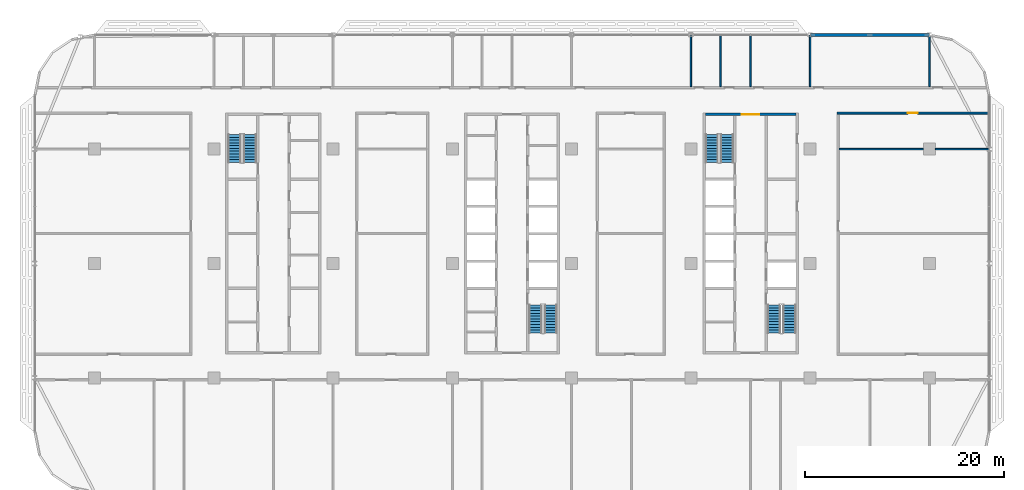
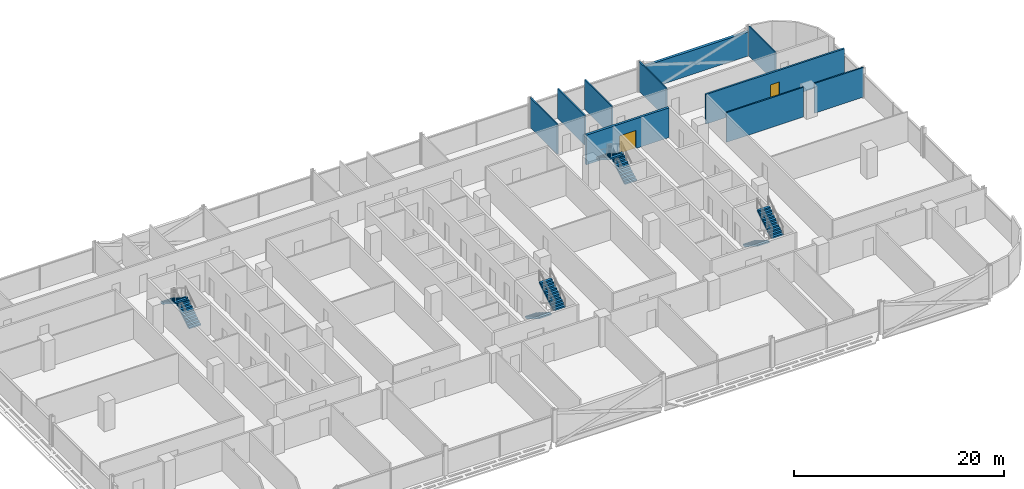
# One storey, part 16 of 27: 10 walls, 8 stair flights, 2 doors, 2 openings, 4 elements without a shape of their own.
"""IFC4 building model written with IfcOpenShell, lengths in metres."""

from ifc_helpers import new_model, si_unit, direction, frame, frame_2d, origin, place, context, subcontext, project, spatial, polyline, rectangle, outline, extrude, material, layer, layer_set, type_object, element, fill, aggregate, save


model = new_model("IFC4")

# Units and contexts
model_context = context("Model", 3, precision=1e-05, world=origin(), true_north=direction((0.0, 1.0)))
body_context = subcontext(model_context, "Body", "Model", "MODEL_VIEW")
ifc_project = project(units=[si_unit("LENGTHUNIT", "METRE"), si_unit("AREAUNIT", "SQUARE_METRE"), si_unit("VOLUMEUNIT", "CUBIC_METRE"), si_unit("PLANEANGLEUNIT", "RADIAN"), si_unit("MASSUNIT", "GRAM", prefix="KILO")], contexts=[model_context])

# Site, building, storey
site_placement = place(None, origin())
site = spatial("IfcSite", under=ifc_project, at=site_placement, CompositionType="ELEMENT")
building_placement = place(site_placement, origin())
building = spatial("IfcBuilding", under=site, at=building_placement, Name="Mahtab Terrace Research Tower", CompositionType="ELEMENT")
storey_placement = place(building_placement, frame((0.0, 0.0, 163.0)))
storey = spatial("IfcBuildingStorey", under=building, at=storey_placement, Name="L38", CompositionType="ELEMENT", Elevation=163.0)

# Wall, opening, door
ifc_material_1 = material(Name="Concrete C70/85", Category="concrete")
ifc_layer_1 = layer(ifc_material_1, 0.25)
ifc_layer_set_1 = layer_set([ifc_layer_1], Name="Core wall 250")
wall_type_1 = type_object("IfcWallType", Name="Core wall 250", PredefinedType="SOLIDWALL", material=ifc_layer_set_1)
wall_1_placement = place(storey_placement, frame((19.449951171875, 15.0, 0.0), z_axis=(0.0, 0.0, 1.0), x_axis=(1.0, 0.0, 0.0)))
wall_1 = element("IfcWall", 1, at=wall_1_placement, inside=storey, type_object=wall_type_1, Name="Core wall C endN", PredefinedType="SOLIDWALL", context=body_context, shape_type="SweptSolid", body=[
    extrude(rectangle(XDim=9.10009765625, YDim=0.25, at=frame_2d((4.550048828125, 0.0))), origin(), (0.0, 0.0, 1.0), 3.4599609375),
])
opening_1_placement = place(wall_1_placement, frame((3.64990234375, 0.0, 0.0)))
opening_1 = element("IfcOpeningElement", 2, at=opening_1_placement, cuts=wall_1, Name="Opening C-N1", PredefinedType="OPENING", context=body_context, shape_type="SweptSolid", body=[
    extrude(rectangle(XDim=1.800048828125, YDim=2.10009765625, at=frame_2d((0.89990234375, 1.050048828125))), frame((0.0, 0.135009765625, 0.0), z_axis=(0.0, -1.0, 0.0), x_axis=(1.0, 0.0, 0.0)), (0.0, 0.0, 1.0), 0.27001953125),
])
ifc_material_2 = material(Name="Steel fire door", Category="steel")
door_type_1 = type_object("IfcDoorType", Name="Lobby double door 1800x2100 1 HR", OperationType="DOUBLE_DOOR_SINGLE_SWING", PredefinedType="DOOR", material=ifc_material_2)
door_1_placement = place(opening_1_placement, origin())
door_1 = element("IfcDoor", 3, at=door_1_placement, inside=storey, type_object=door_type_1, Name="Core entrance door C N", OperationType="DOUBLE_DOOR_SINGLE_SWING", OverallHeight=2.10009765625, OverallWidth=1.800048828125, PredefinedType="DOOR", context=body_context, shape_type="SweptSolid", body=[
    extrude(rectangle(XDim=1.800048828125, YDim=2.10009765625, at=frame_2d((0.89990234375, 1.050048828125))), frame((0.0, 0.02490234375, 0.0), z_axis=(0.0, -1.0, 0.0), x_axis=(1.0, 0.0, 0.0)), (0.0, 0.0, 1.0), 0.050048828125),
])
fill(opening_1, door_1)

# Wall
ifc_material_3 = material(Name="Black aluminium cladding panel", Category="aluminium")
ifc_layer_2 = layer(ifc_material_3, 0.300048828125)
ifc_layer_set_2 = layer_set([ifc_layer_2], Name="Opaque facade wall 300")
wall_type_2 = type_object("IfcWallType", Name="Opaque facade wall 300", PredefinedType="NOTDEFINED", material=ifc_layer_set_2)
wall_2_placement = place(storey_placement, frame((41.985107421875, 23.0, 0.0), z_axis=(0.0, 0.0, 1.0), x_axis=(-1.0, 0.0, 0.0)))
element("IfcWall", 4, at=wall_2_placement, inside=storey, type_object=wall_type_2, Name="Opaque facade wall L38 N3", PredefinedType="NOTDEFINED", context=body_context, shape_type="SweptSolid", body=[
    extrude(rectangle(XDim=11.97021484375, YDim=0.300048828125, at=frame_2d((5.985107421875, 0.0))), origin(), (0.0, 0.0, 1.0), 2.78173828125),
])

# Wall, opening, door
ifc_material_4 = material(Name="Gypsum board corridor wall on steel studs", Category="steel")
ifc_layer_3 = layer(ifc_material_4, 0.199951171875)
ifc_layer_set_3 = layer_set([ifc_layer_3], Name="WALL CORRIDOR 200")
wall_type_3 = type_object("IfcWallType", Name="WALL CORRIDOR 200", PredefinedType="PARTITIONING", material=ifc_layer_set_3)
wall_3_placement = place(storey_placement, frame((32.699951171875, 15.125, 0.0), z_axis=(0.0, 0.0, 1.0), x_axis=(1.0, 0.0, 0.0)))
wall_3 = element("IfcWall", 5, at=wall_3_placement, inside=storey, type_object=wall_type_3, Name="L38-W027", PredefinedType="PARTITIONING", context=body_context, shape_type="SweptSolid", body=[
    extrude(rectangle(XDim=15.275146484375, YDim=0.199951171875, at=frame_2d((7.6376953125, 0.0))), origin(), (0.0, 0.0, 1.0), 3.4599609375),
])
opening_2_placement = place(wall_3_placement, frame((7.10009765625, 0.0, 0.0)))
opening_2 = element("IfcOpeningElement", 6, at=opening_2_placement, cuts=wall_3, Name="Opening L38-125", PredefinedType="OPENING", context=body_context, shape_type="SweptSolid", body=[
    extrude(rectangle(XDim=1.0, YDim=2.10009765625, at=frame_2d((0.5, 1.050048828125))), frame((0.0, 0.10986328125, 0.0), z_axis=(0.0, -1.0, 0.0), x_axis=(1.0, 0.0, 0.0)), (0.0, 0.0, 1.0), 0.219970703125),
])
ifc_material_5 = material(Name="Timber door leaf in steel frame", Category="steel")
door_type_2 = type_object("IfcDoorType", Name="DOOR 1000X2100 FD30S", OperationType="SINGLE_SWING_LEFT", PredefinedType="DOOR", material=ifc_material_5)
door_2_placement = place(opening_2_placement, origin())
door_2 = element("IfcDoor", 7, at=door_2_placement, inside=storey, type_object=door_type_2, Name="Door L38-125", OperationType="SINGLE_SWING_LEFT", OverallHeight=2.10009765625, OverallWidth=1.0, PredefinedType="DOOR", context=body_context, shape_type="SweptSolid", body=[
    extrude(rectangle(XDim=1.0, YDim=2.10009765625, at=frame_2d((0.5, 1.050048828125))), frame((0.0, 0.02490234375, 0.0), z_axis=(0.0, -1.0, 0.0), x_axis=(1.0, 0.0, 0.0)), (0.0, 0.0, 1.0), 0.050048828125),
])
fill(opening_2, door_2)

# Walls
ifc_material_6 = material(Name="Gypsum board partition on steel studs", Category="steel")
ifc_layer_4 = layer(ifc_material_6, 0.14990234375)
ifc_layer_set_4 = layer_set([ifc_layer_4], Name="WALL PARTITION 150")
wall_type_4 = type_object("IfcWallType", Name="WALL PARTITION 150", PredefinedType="PARTITIONING", material=ifc_layer_set_4)
wall_4_placement = place(storey_placement, frame((32.89990234375, 11.5, 0.0), z_axis=(0.0, 0.0, 1.0), x_axis=(1.0, 0.0, 0.0)))
element("IfcWall", 8, at=wall_4_placement, inside=storey, type_object=wall_type_4, Name="L38-W022", PredefinedType="PARTITIONING", context=body_context, shape_type="SweptSolid", body=[
    extrude(rectangle(XDim=8.5, YDim=0.14990234375, at=frame_2d((4.25, 0.0))), origin(), (0.0, 0.0, 1.0), 3.4599609375),
])
wall_5_placement = place(storey_placement, frame((42.60009765625, 11.5, 0.0), z_axis=(0.0, 0.0, 1.0), x_axis=(1.0, 0.0, 0.0)))
element("IfcWall", 9, at=wall_5_placement, inside=storey, type_object=wall_type_4, Name="L38-W023", PredefinedType="PARTITIONING", context=body_context, shape_type="SweptSolid", body=[
    extrude(rectangle(XDim=5.375, YDim=0.14990234375, at=frame_2d((2.6875, 0.0))), origin(), (0.0, 0.0, 1.0), 3.4599609375),
])
for number, where, z_axis, x_axis, name in (
    (10, (18.0, 17.800048828125, 0.0), (0.0, 0.0, 1.0), (0.0, 1.0, 0.0), "L38-W051"),
    (11, (21.0, 17.800048828125, 0.0), (0.0, 0.0, 1.0), (0.0, 1.0, 0.0), "L38-W052"),
    (12, (24.0, 17.800048828125, 0.0), (0.0, 0.0, 1.0), (0.0, 1.0, 0.0), "L38-W054"),
    (13, (30.0, 17.800048828125, 0.0), (0.0, 0.0, 1.0), (0.0, 1.0, 0.0), "L38-W056"),
):
    element("IfcWall", number, at=place(storey_placement, frame(where, z_axis=z_axis, x_axis=x_axis)), inside=storey, type_object=wall_type_4, Name=name, PredefinedType="PARTITIONING", context=body_context, shape_type="SweptSolid", body=[
        extrude(rectangle(XDim=5.175048828125, YDim=0.14990234375, at=frame_2d((2.58740234375, 0.0))), origin(), (0.0, 0.0, 1.0), 3.4599609375),
    ])
wall_6_placement = place(storey_placement, frame((42.0, 17.800048828125, 0.0), z_axis=(0.0, 0.0, 1.0), x_axis=(0.0, 1.0, 0.0)))
element("IfcWall", 14, at=wall_6_placement, inside=storey, type_object=wall_type_4, Name="L38-W060", PredefinedType="PARTITIONING", context=body_context, shape_type="SweptSolid", body=[
    extrude(rectangle(XDim=5.047119140625, YDim=0.14990234375, at=frame_2d((2.5234375, 0.0))), origin(), (0.0, 0.0, 1.0), 3.4599609375),
])

# Stair, stair flights
ifc_material_7 = material(Name="Exit stair half-turn")
stair_type = type_object("IfcStairType", Name="Exit stair half-turn", PredefinedType="HALF_TURN_STAIR", material=ifc_material_7)
stair_1_placement = place(storey_placement, origin())
stair_1 = element("IfcStair", 15, at=stair_1_placement, inside=storey, type_object=stair_type, Name="L38 Protected exit stair ST1", PredefinedType="HALF_TURN_STAIR")
ifc_material_8 = material(Name="Concrete C40/50", Category="concrete")
stair_flight_type = type_object("IfcStairFlightType", Name="Exit stair flight 1300", PredefinedType="STRAIGHT", material=ifc_material_8)
stair_flight_1_placement = place(storey_placement, frame((-26.35009765625, 10.175048828125, 0.0), z_axis=(0.0, 0.0, 1.0), x_axis=(0.0, 1.0, 0.0)))
stair_flight_1 = element("IfcStairFlight", 16, at=stair_flight_1_placement, type_object=stair_flight_type, Name="ST1 flight 1", NumberOfRisers=11, NumberOfTreads=10, PredefinedType="STRAIGHT", RiserHeight=0.172727273, TreadLength=0.28, context=body_context, shape_type="SweptSolid", body=[
    extrude(outline(polyline([(0.0, 0.0), (0.0, 0.172607421875), (0.280029296875, 0.172607421875), (0.280029296875, 0.345458984375), (0.56005859375, 0.345458984375), (0.56005859375, 0.51806640625), (0.840087890625, 0.51806640625), (0.840087890625, 0.69091796875), (1.1201171875, 0.69091796875), (1.1201171875, 0.863525390625), (1.39990234375, 0.863525390625), (1.39990234375, 1.036376953125), (1.679931640625, 1.036376953125), (1.679931640625, 1.208984375), (1.9599609375, 1.208984375), (1.9599609375, 1.3818359375), (2.239990234375, 1.3818359375), (2.239990234375, 1.554443359375), (2.52001953125, 1.554443359375), (2.52001953125, 1.727294921875), (2.800048828125, 1.727294921875), (2.800048828125, 1.89990234375), (2.800048828125, 1.551025390625), (0.285400390625, 0.0), (0.0, 0.0)])), frame((0.0, 0.64990234375, 0.0), z_axis=(0.0, -1.0, 0.0), x_axis=(1.0, 0.0, 0.0)), (0.0, 0.0, 1.0), 1.300048828125),
])
stair_flight_2_placement = place(storey_placement, frame((-27.89990234375, 12.97509765625, 1.89990234375), z_axis=(0.0, 0.0, 1.0), x_axis=(0.0, -1.0, 0.0)))
stair_flight_2 = element("IfcStairFlight", 17, at=stair_flight_2_placement, type_object=stair_flight_type, Name="ST1 flight 2", NumberOfRisers=11, NumberOfTreads=10, PredefinedType="STRAIGHT", RiserHeight=0.172727273, TreadLength=0.28, context=body_context, shape_type="SweptSolid", body=[
    extrude(outline(polyline([(0.0, 0.0), (0.0, 0.172607421875), (0.280029296875, 0.172607421875), (0.280029296875, 0.345458984375), (0.56005859375, 0.345458984375), (0.56005859375, 0.51806640625), (0.840087890625, 0.51806640625), (0.840087890625, 0.69091796875), (1.1201171875, 0.69091796875), (1.1201171875, 0.863525390625), (1.39990234375, 0.863525390625), (1.39990234375, 1.036376953125), (1.679931640625, 1.036376953125), (1.679931640625, 1.208984375), (1.9599609375, 1.208984375), (1.9599609375, 1.3818359375), (2.239990234375, 1.3818359375), (2.239990234375, 1.554443359375), (2.52001953125, 1.554443359375), (2.52001953125, 1.727294921875), (2.800048828125, 1.727294921875), (2.800048828125, 1.89990234375), (2.800048828125, 1.551025390625), (0.285400390625, 0.0), (0.0, 0.0)])), frame((0.0, 0.64990234375, 0.0), z_axis=(0.0, -1.0, 0.0), x_axis=(1.0, 0.0, 0.0)), (0.0, 0.0, 1.0), 1.300048828125),
])
aggregate(stair_1, [stair_flight_1, stair_flight_2])

stair_2_placement = place(storey_placement, origin())
stair_2 = element("IfcStair", 18, at=stair_2_placement, inside=storey, type_object=stair_type, Name="L38 Protected exit stair ST2", PredefinedType="HALF_TURN_STAIR")
stair_flight_3_placement = place(storey_placement, frame((2.35009765625, -4.175048828125, 0.0), z_axis=(0.0, 0.0, 1.0), x_axis=(0.0, -1.0, 0.0)))
stair_flight_3 = element("IfcStairFlight", 19, at=stair_flight_3_placement, type_object=stair_flight_type, Name="ST2 flight 1", NumberOfRisers=11, NumberOfTreads=10, PredefinedType="STRAIGHT", RiserHeight=0.172727273, TreadLength=0.28, context=body_context, shape_type="SweptSolid", body=[
    extrude(outline(polyline([(0.0, 0.0), (0.0, 0.172607421875), (0.280029296875, 0.172607421875), (0.280029296875, 0.345458984375), (0.56005859375, 0.345458984375), (0.56005859375, 0.51806640625), (0.840087890625, 0.51806640625), (0.840087890625, 0.69091796875), (1.1201171875, 0.69091796875), (1.1201171875, 0.863525390625), (1.39990234375, 0.863525390625), (1.39990234375, 1.036376953125), (1.679931640625, 1.036376953125), (1.679931640625, 1.208984375), (1.9599609375, 1.208984375), (1.9599609375, 1.3818359375), (2.239990234375, 1.3818359375), (2.239990234375, 1.554443359375), (2.52001953125, 1.554443359375), (2.52001953125, 1.727294921875), (2.800048828125, 1.727294921875), (2.800048828125, 1.89990234375), (2.800048828125, 1.551025390625), (0.285400390625, 0.0), (0.0, 0.0)])), frame((0.0, 0.64990234375, 0.0), z_axis=(0.0, -1.0, 0.0), x_axis=(1.0, 0.0, 0.0)), (0.0, 0.0, 1.0), 1.300048828125),
])
stair_flight_4_placement = place(storey_placement, frame((3.89990234375, -6.97509765625, 1.89990234375), z_axis=(0.0, 0.0, 1.0), x_axis=(0.0, 1.0, 0.0)))
stair_flight_4 = element("IfcStairFlight", 20, at=stair_flight_4_placement, type_object=stair_flight_type, Name="ST2 flight 2", NumberOfRisers=11, NumberOfTreads=10, PredefinedType="STRAIGHT", RiserHeight=0.172727273, TreadLength=0.28, context=body_context, shape_type="SweptSolid", body=[
    extrude(outline(polyline([(0.0, 0.0), (0.0, 0.172607421875), (0.280029296875, 0.172607421875), (0.280029296875, 0.345458984375), (0.56005859375, 0.345458984375), (0.56005859375, 0.51806640625), (0.840087890625, 0.51806640625), (0.840087890625, 0.69091796875), (1.1201171875, 0.69091796875), (1.1201171875, 0.863525390625), (1.39990234375, 0.863525390625), (1.39990234375, 1.036376953125), (1.679931640625, 1.036376953125), (1.679931640625, 1.208984375), (1.9599609375, 1.208984375), (1.9599609375, 1.3818359375), (2.239990234375, 1.3818359375), (2.239990234375, 1.554443359375), (2.52001953125, 1.554443359375), (2.52001953125, 1.727294921875), (2.800048828125, 1.727294921875), (2.800048828125, 1.89990234375), (2.800048828125, 1.551025390625), (0.285400390625, 0.0), (0.0, 0.0)])), frame((0.0, 0.64990234375, 0.0), z_axis=(0.0, -1.0, 0.0), x_axis=(1.0, 0.0, 0.0)), (0.0, 0.0, 1.0), 1.300048828125),
])
aggregate(stair_2, [stair_flight_3, stair_flight_4])

stair_3_placement = place(storey_placement, origin())
stair_3 = element("IfcStair", 21, at=stair_3_placement, inside=storey, type_object=stair_type, Name="L38 Protected exit stair ST3", PredefinedType="HALF_TURN_STAIR")
stair_flight_5_placement = place(storey_placement, frame((21.64990234375, 10.175048828125, 0.0), z_axis=(0.0, 0.0, 1.0), x_axis=(0.0, 1.0, 0.0)))
stair_flight_5 = element("IfcStairFlight", 22, at=stair_flight_5_placement, type_object=stair_flight_type, Name="ST3 flight 1", NumberOfRisers=11, NumberOfTreads=10, PredefinedType="STRAIGHT", RiserHeight=0.172727273, TreadLength=0.28, context=body_context, shape_type="SweptSolid", body=[
    extrude(outline(polyline([(0.0, 0.0), (0.0, 0.172607421875), (0.280029296875, 0.172607421875), (0.280029296875, 0.345458984375), (0.56005859375, 0.345458984375), (0.56005859375, 0.51806640625), (0.840087890625, 0.51806640625), (0.840087890625, 0.69091796875), (1.1201171875, 0.69091796875), (1.1201171875, 0.863525390625), (1.39990234375, 0.863525390625), (1.39990234375, 1.036376953125), (1.679931640625, 1.036376953125), (1.679931640625, 1.208984375), (1.9599609375, 1.208984375), (1.9599609375, 1.3818359375), (2.239990234375, 1.3818359375), (2.239990234375, 1.554443359375), (2.52001953125, 1.554443359375), (2.52001953125, 1.727294921875), (2.800048828125, 1.727294921875), (2.800048828125, 1.89990234375), (2.800048828125, 1.551025390625), (0.285400390625, 0.0), (0.0, 0.0)])), frame((0.0, 0.64990234375, 0.0), z_axis=(0.0, -1.0, 0.0), x_axis=(1.0, 0.0, 0.0)), (0.0, 0.0, 1.0), 1.300048828125),
])
stair_flight_6_placement = place(storey_placement, frame((20.10009765625, 12.97509765625, 1.89990234375), z_axis=(0.0, 0.0, 1.0), x_axis=(0.0, -1.0, 0.0)))
stair_flight_6 = element("IfcStairFlight", 23, at=stair_flight_6_placement, type_object=stair_flight_type, Name="ST3 flight 2", NumberOfRisers=11, NumberOfTreads=10, PredefinedType="STRAIGHT", RiserHeight=0.172727273, TreadLength=0.28, context=body_context, shape_type="SweptSolid", body=[
    extrude(outline(polyline([(0.0, 0.0), (0.0, 0.172607421875), (0.280029296875, 0.172607421875), (0.280029296875, 0.345458984375), (0.56005859375, 0.345458984375), (0.56005859375, 0.51806640625), (0.840087890625, 0.51806640625), (0.840087890625, 0.69091796875), (1.1201171875, 0.69091796875), (1.1201171875, 0.863525390625), (1.39990234375, 0.863525390625), (1.39990234375, 1.036376953125), (1.679931640625, 1.036376953125), (1.679931640625, 1.208984375), (1.9599609375, 1.208984375), (1.9599609375, 1.3818359375), (2.239990234375, 1.3818359375), (2.239990234375, 1.554443359375), (2.52001953125, 1.554443359375), (2.52001953125, 1.727294921875), (2.800048828125, 1.727294921875), (2.800048828125, 1.89990234375), (2.800048828125, 1.551025390625), (0.285400390625, 0.0), (0.0, 0.0)])), frame((0.0, 0.64990234375, 0.0), z_axis=(0.0, -1.0, 0.0), x_axis=(1.0, 0.0, 0.0)), (0.0, 0.0, 1.0), 1.300048828125),
])
aggregate(stair_3, [stair_flight_5, stair_flight_6])

stair_4_placement = place(storey_placement, origin())
stair_4 = element("IfcStair", 24, at=stair_4_placement, inside=storey, type_object=stair_type, Name="L38 Protected exit stair ST4", PredefinedType="HALF_TURN_STAIR")
stair_flight_7_placement = place(storey_placement, frame((26.35009765625, -4.175048828125, 0.0), z_axis=(0.0, 0.0, 1.0), x_axis=(0.0, -1.0, 0.0)))
stair_flight_7 = element("IfcStairFlight", 25, at=stair_flight_7_placement, type_object=stair_flight_type, Name="ST4 flight 1", NumberOfRisers=11, NumberOfTreads=10, PredefinedType="STRAIGHT", RiserHeight=0.172727273, TreadLength=0.28, context=body_context, shape_type="SweptSolid", body=[
    extrude(outline(polyline([(0.0, 0.0), (0.0, 0.172607421875), (0.280029296875, 0.172607421875), (0.280029296875, 0.345458984375), (0.56005859375, 0.345458984375), (0.56005859375, 0.51806640625), (0.840087890625, 0.51806640625), (0.840087890625, 0.69091796875), (1.1201171875, 0.69091796875), (1.1201171875, 0.863525390625), (1.39990234375, 0.863525390625), (1.39990234375, 1.036376953125), (1.679931640625, 1.036376953125), (1.679931640625, 1.208984375), (1.9599609375, 1.208984375), (1.9599609375, 1.3818359375), (2.239990234375, 1.3818359375), (2.239990234375, 1.554443359375), (2.52001953125, 1.554443359375), (2.52001953125, 1.727294921875), (2.800048828125, 1.727294921875), (2.800048828125, 1.89990234375), (2.800048828125, 1.551025390625), (0.285400390625, 0.0), (0.0, 0.0)])), frame((0.0, 0.64990234375, 0.0), z_axis=(0.0, -1.0, 0.0), x_axis=(1.0, 0.0, 0.0)), (0.0, 0.0, 1.0), 1.300048828125),
])
stair_flight_8_placement = place(storey_placement, frame((27.89990234375, -6.97509765625, 1.89990234375), z_axis=(0.0, 0.0, 1.0), x_axis=(0.0, 1.0, 0.0)))
stair_flight_8 = element("IfcStairFlight", 26, at=stair_flight_8_placement, type_object=stair_flight_type, Name="ST4 flight 2", NumberOfRisers=11, NumberOfTreads=10, PredefinedType="STRAIGHT", RiserHeight=0.172727273, TreadLength=0.28, context=body_context, shape_type="SweptSolid", body=[
    extrude(outline(polyline([(0.0, 0.0), (0.0, 0.172607421875), (0.280029296875, 0.172607421875), (0.280029296875, 0.345458984375), (0.56005859375, 0.345458984375), (0.56005859375, 0.51806640625), (0.840087890625, 0.51806640625), (0.840087890625, 0.69091796875), (1.1201171875, 0.69091796875), (1.1201171875, 0.863525390625), (1.39990234375, 0.863525390625), (1.39990234375, 1.036376953125), (1.679931640625, 1.036376953125), (1.679931640625, 1.208984375), (1.9599609375, 1.208984375), (1.9599609375, 1.3818359375), (2.239990234375, 1.3818359375), (2.239990234375, 1.554443359375), (2.52001953125, 1.554443359375), (2.52001953125, 1.727294921875), (2.800048828125, 1.727294921875), (2.800048828125, 1.89990234375), (2.800048828125, 1.551025390625), (0.285400390625, 0.0), (0.0, 0.0)])), frame((0.0, 0.64990234375, 0.0), z_axis=(0.0, -1.0, 0.0), x_axis=(1.0, 0.0, 0.0)), (0.0, 0.0, 1.0), 1.300048828125),
])
aggregate(stair_4, [stair_flight_7, stair_flight_8])

save(model, "model.ifc")
